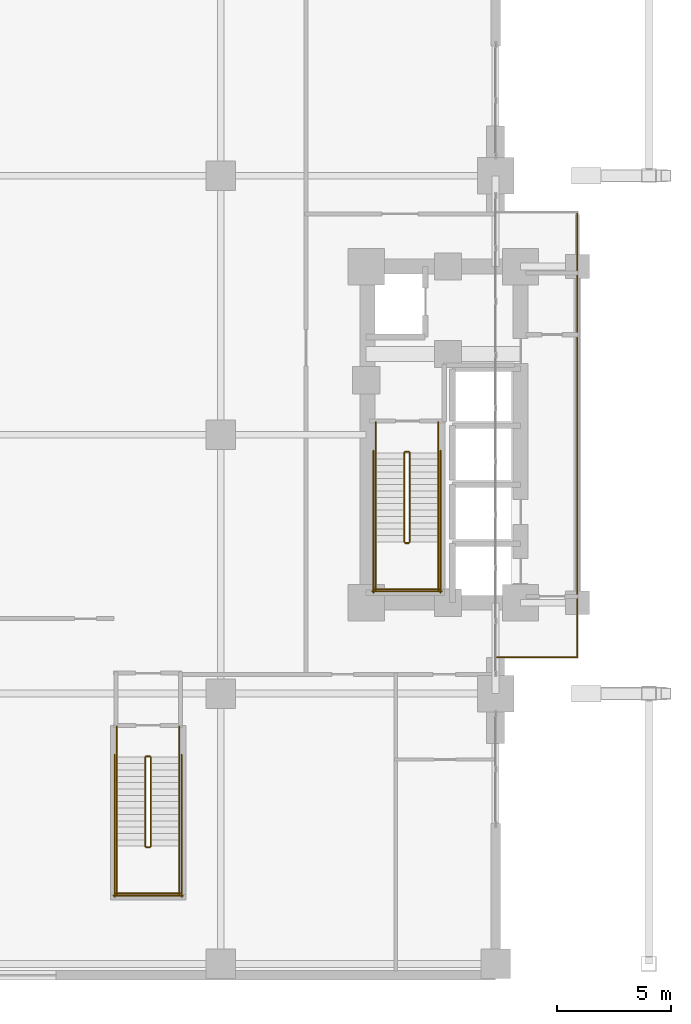
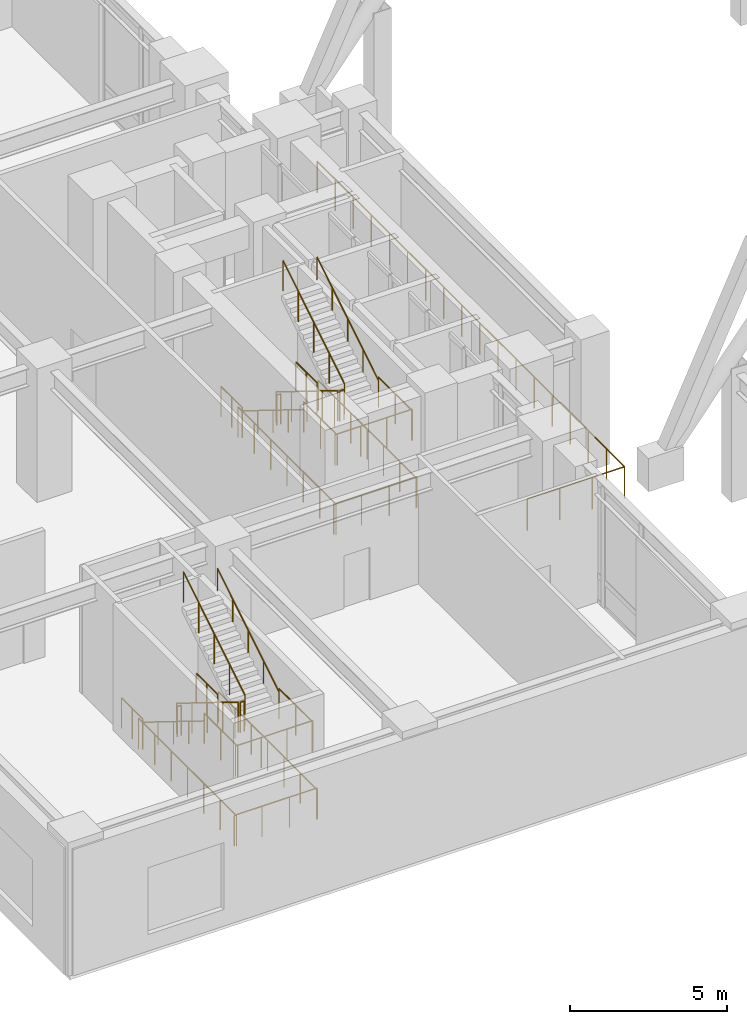
# One storey, part 23 of 26: 30 railings.
"""IFC4 building model written with IfcOpenShell, lengths in metres."""

from ifc_helpers import new_model, si_unit, direction, frame, origin, origin_2d, place, context, subcontext, project, spatial, circle, extrude, material, type_object, element, save


model = new_model("IFC4")

# Units and contexts
model_context = context("Model", 3, precision=1e-05, world=origin(), true_north=direction((0.0, 1.0)))
body_context = subcontext(model_context, "Body", "Model", "MODEL_VIEW")
ifc_project = project(units=[si_unit("LENGTHUNIT", "METRE"), si_unit("AREAUNIT", "SQUARE_METRE"), si_unit("VOLUMEUNIT", "CUBIC_METRE"), si_unit("PLANEANGLEUNIT", "RADIAN"), si_unit("MASSUNIT", "GRAM", prefix="KILO")], contexts=[model_context])

# Site, building, storey
site_placement = place(None, origin())
site = spatial("IfcSite", under=ifc_project, at=site_placement, CompositionType="ELEMENT")
building_placement = place(site_placement, origin())
building = spatial("IfcBuilding", under=site, at=building_placement, Name="Voryun Gate Residences", CompositionType="ELEMENT")
storey_placement = place(building_placement, frame((0.0, 0.0, 10.39990234375)))
storey = spatial("IfcBuildingStorey", under=building, at=storey_placement, Name="L02", CompositionType="ELEMENT", Elevation=10.39990234375)

# Railings
ifc_material_1 = material(Name="Painted steel", Category="steel")
railing_type_1 = type_object("IfcRailingType", Name="RAIL_STAIR_GUARD_1200", PredefinedType="GUARDRAIL", material=ifc_material_1)
railing_1_placement = place(storey_placement, frame((-17.52490234375, -0.800048828125, 0.17333984375)))
element("IfcRailing", 1, at=railing_1_placement, inside=storey, type_object=railing_type_1, Name="L02 ST-W1 stair guard 1", PredefinedType="GUARDRAIL", context=body_context, shape_type="SweptSolid", body=[
    extrude(circle(Radius=0.02392578125, at=origin_2d()), frame((0.0, 0.0, 1.17578125), z_axis=(0.0, -0.850251603719, 0.526376491091), x_axis=(1.0, 0.0, 0.0)), (0.0, 0.0, 1.0), 4.6103515625),
    extrude(circle(Radius=0.02099609375, at=origin_2d()), origin(), (0.0, 0.0, 1.0), 1.15185546875),
    extrude(circle(Radius=0.02099609375, at=origin_2d()), frame((0.0, -0.97998046875, 0.606689453125)), (0.0, 0.0, 1.0), 1.15185546875),
    extrude(circle(Radius=0.02099609375, at=origin_2d()), frame((0.0, -1.9599609375, 1.21337890625)), (0.0, 0.0, 1.0), 1.15185546875),
    extrude(circle(Radius=0.02099609375, at=origin_2d()), frame((0.0, -2.93994140625, 1.820068359375)), (0.0, 0.0, 1.0), 1.15185546875),
    extrude(circle(Radius=0.02099609375, at=origin_2d()), frame((0.0, -3.919921875, 2.4267578125)), (0.0, 0.0, 1.0), 1.15185546875),
])
railing_2_placement = place(storey_placement, frame((-17.47509765625, -4.77001953125, 2.60009765625)))
element("IfcRailing", 2, at=railing_2_placement, inside=storey, type_object=railing_type_1, Name="L02 ST-W1 stair guard 2", PredefinedType="GUARDRAIL", context=body_context, shape_type="SweptSolid", body=[
    extrude(circle(Radius=0.02392578125, at=origin_2d()), frame((0.0, 0.0, 1.17578125), z_axis=(1.0, 0.0, 0.0), x_axis=(0.0, 1.0, 0.0)), (0.0, 0.0, 1.0), 0.150146484375),
    extrude(circle(Radius=0.02099609375, at=origin_2d()), origin(), (0.0, 0.0, 1.0), 1.15185546875),
    extrude(circle(Radius=0.02099609375, at=origin_2d()), frame((0.150146484375, 0.0, 0.0)), (0.0, 0.0, 1.0), 1.15185546875),
])
for number, where, name in (
    (3, (-18.77490234375, -4.719970703125, 2.60009765625), "L02 ST-W1 stair guard 3"),
    (4, (-16.02490234375, -4.719970703125, 2.60009765625), "L02 ST-W1 stair guard 4"),
):
    element("IfcRailing", number, at=place(storey_placement, frame(where)), inside=storey, type_object=railing_type_1, Name=name, PredefinedType="GUARDRAIL", context=body_context, shape_type="SweptSolid", body=[
        extrude(circle(Radius=0.02392578125, at=origin_2d()), frame((0.0, 0.0, 1.17578125), z_axis=(0.0, -1.0, 0.0), x_axis=(1.0, 0.0, 0.0)), (0.0, 0.0, 1.0), 2.130126953125),
        extrude(circle(Radius=0.02099609375, at=origin_2d()), origin(), (0.0, 0.0, 1.0), 1.15185546875),
        extrude(circle(Radius=0.02099609375, at=origin_2d()), frame((0.0, -1.06494140625, 0.0)), (0.0, 0.0, 1.0), 1.15185546875),
        extrude(circle(Radius=0.02099609375, at=origin_2d()), frame((0.0, -2.130126953125, 0.0)), (0.0, 0.0, 1.0), 1.15185546875),
    ])
railing_3_placement = place(storey_placement, frame((-18.824951171875, -6.800048828125, 2.60009765625)))
element("IfcRailing", 5, at=railing_3_placement, inside=storey, type_object=railing_type_1, Name="L02 ST-W1 stair guard 5", PredefinedType="GUARDRAIL", context=body_context, shape_type="SweptSolid", body=[
    extrude(circle(Radius=0.02392578125, at=origin_2d()), frame((0.0, 0.0, 1.17578125), z_axis=(1.0, 0.0, 0.0), x_axis=(0.0, 1.0, 0.0)), (0.0, 0.0, 1.0), 2.849853515625),
    extrude(circle(Radius=0.02099609375, at=origin_2d()), origin(), (0.0, 0.0, 1.0), 1.15185546875),
    extrude(circle(Radius=0.02099609375, at=origin_2d()), frame((0.949951171875, 0.0, 0.0)), (0.0, 0.0, 1.0), 1.15185546875),
    extrude(circle(Radius=0.02099609375, at=origin_2d()), frame((1.89990234375, 0.0, 0.0)), (0.0, 0.0, 1.0), 1.15185546875),
    extrude(circle(Radius=0.02099609375, at=origin_2d()), frame((2.849853515625, 0.0, 0.0)), (0.0, 0.0, 1.0), 1.15185546875),
])
railing_4_placement = place(storey_placement, frame((-17.27490234375, -4.719970703125, 2.7734375)))
element("IfcRailing", 6, at=railing_4_placement, inside=storey, type_object=railing_type_1, Name="L02 ST-W1 stair guard 6", PredefinedType="GUARDRAIL", context=body_context, shape_type="SweptSolid", body=[
    extrude(circle(Radius=0.02392578125, at=origin_2d()), frame((0.0, 0.0, 1.17578125), z_axis=(0.0, 0.850251603719, 0.526376491091), x_axis=(-1.0, 0.0, 0.0)), (0.0, 0.0, 1.0), 4.6103515625),
    extrude(circle(Radius=0.02099609375, at=origin_2d()), origin(), (0.0, 0.0, 1.0), 1.15185546875),
    extrude(circle(Radius=0.02099609375, at=origin_2d()), frame((0.0, 0.97998046875, 0.606689453125)), (0.0, 0.0, 1.0), 1.15185546875),
    extrude(circle(Radius=0.02099609375, at=origin_2d()), frame((0.0, 1.9599609375, 1.21337890625)), (0.0, 0.0, 1.0), 1.15185546875),
    extrude(circle(Radius=0.02099609375, at=origin_2d()), frame((0.0, 2.93994140625, 1.820068359375)), (0.0, 0.0, 1.0), 1.15185546875),
    extrude(circle(Radius=0.02099609375, at=origin_2d()), frame((0.0, 3.919921875, 2.4267578125)), (0.0, 0.0, 1.0), 1.15185546875),
])
railing_5_placement = place(storey_placement, frame((-17.47509765625, -0.75, 0.0)))
element("IfcRailing", 7, at=railing_5_placement, inside=storey, type_object=railing_type_1, Name="L02 ST-W1 stair guard 7", PredefinedType="GUARDRAIL", context=body_context, shape_type="SweptSolid", body=[
    extrude(circle(Radius=0.02392578125, at=origin_2d()), frame((0.0, 0.0, 1.17578125), z_axis=(1.0, 0.0, 0.0), x_axis=(0.0, 1.0, 0.0)), (0.0, 0.0, 1.0), 0.150146484375),
    extrude(circle(Radius=0.02099609375, at=origin_2d()), origin(), (0.0, 0.0, 1.0), 1.15185546875),
    extrude(circle(Radius=0.02099609375, at=origin_2d()), frame((0.150146484375, 0.0, 0.0)), (0.0, 0.0, 1.0), 1.15185546875),
])
for number, where, name in (
    (8, (-18.77490234375, 0.550048828125, 0.0), "L02 ST-W1 stair guard 8"),
    (9, (-16.02490234375, 0.550048828125, 0.0), "L02 ST-W1 stair guard 9"),
):
    element("IfcRailing", number, at=place(storey_placement, frame(where)), inside=storey, type_object=railing_type_1, Name=name, PredefinedType="GUARDRAIL", context=body_context, shape_type="SweptSolid", body=[
        extrude(circle(Radius=0.02392578125, at=origin_2d()), frame((0.0, 0.0, 1.17578125), z_axis=(0.0, -1.0, 0.0), x_axis=(1.0, 0.0, 0.0)), (0.0, 0.0, 1.0), 1.35009765625),
        extrude(circle(Radius=0.02099609375, at=origin_2d()), origin(), (0.0, 0.0, 1.0), 1.15185546875),
        extrude(circle(Radius=0.02099609375, at=origin_2d()), frame((0.0, -0.675048828125, 0.0)), (0.0, 0.0, 1.0), 1.15185546875),
        extrude(circle(Radius=0.02099609375, at=origin_2d()), frame((0.0, -1.35009765625, 0.0)), (0.0, 0.0, 1.0), 1.15185546875),
    ])
for number, where, name in (
    (10, (-18.875, -0.699951171875, 0.0), "L02 ST-W1 stair guard 10"),
    (11, (-15.925048828125, -0.699951171875, 0.0), "L02 ST-W1 stair guard 11"),
):
    element("IfcRailing", number, at=place(storey_placement, frame(where)), inside=storey, type_object=railing_type_1, Name=name, PredefinedType="GUARDRAIL", context=body_context, shape_type="SweptSolid", body=[
        extrude(circle(Radius=0.02392578125, at=origin_2d()), frame((0.0, 0.0, 1.17578125), z_axis=(0.0, -1.0, 0.0), x_axis=(1.0, 0.0, 0.0)), (0.0, 0.0, 1.0), 6.25),
        extrude(circle(Radius=0.02099609375, at=origin_2d()), origin(), (0.0, 0.0, 1.0), 1.15185546875),
        extrude(circle(Radius=0.02099609375, at=origin_2d()), frame((0.0, -1.041748046875, 0.0)), (0.0, 0.0, 1.0), 1.15185546875),
        extrude(circle(Radius=0.02099609375, at=origin_2d()), frame((0.0, -2.083251953125, 0.0)), (0.0, 0.0, 1.0), 1.15185546875),
        extrude(circle(Radius=0.02099609375, at=origin_2d()), frame((0.0, -3.125, 0.0)), (0.0, 0.0, 1.0), 1.15185546875),
        extrude(circle(Radius=0.02099609375, at=origin_2d()), frame((0.0, -4.166748046875, 0.0)), (0.0, 0.0, 1.0), 1.15185546875),
        extrude(circle(Radius=0.02099609375, at=origin_2d()), frame((0.0, -5.208251953125, 0.0)), (0.0, 0.0, 1.0), 1.15185546875),
        extrude(circle(Radius=0.02099609375, at=origin_2d()), frame((0.0, -6.25, 0.0)), (0.0, 0.0, 1.0), 1.15185546875),
    ])
railing_6_placement = place(storey_placement, frame((-18.925048828125, -6.89990234375, 0.0)))
element("IfcRailing", 12, at=railing_6_placement, inside=storey, type_object=railing_type_1, Name="L02 ST-W1 stair guard 12", PredefinedType="GUARDRAIL", context=body_context, shape_type="SweptSolid", body=[
    extrude(circle(Radius=0.02392578125, at=origin_2d()), frame((0.0, 0.0, 1.17578125), z_axis=(1.0, 0.0, 0.0), x_axis=(0.0, 1.0, 0.0)), (0.0, 0.0, 1.0), 3.050048828125),
    extrude(circle(Radius=0.02099609375, at=origin_2d()), origin(), (0.0, 0.0, 1.0), 1.15185546875),
    extrude(circle(Radius=0.02099609375, at=origin_2d()), frame((1.0166015625, 0.0, 0.0)), (0.0, 0.0, 1.0), 1.15185546875),
    extrude(circle(Radius=0.02099609375, at=origin_2d()), frame((2.033447265625, 0.0, 0.0)), (0.0, 0.0, 1.0), 1.15185546875),
    extrude(circle(Radius=0.02099609375, at=origin_2d()), frame((3.050048828125, 0.0, 0.0)), (0.0, 0.0, 1.0), 1.15185546875),
])
railing_7_placement = place(storey_placement, frame((-28.925048828125, -14.199951171875, 0.17333984375)))
element("IfcRailing", 13, at=railing_7_placement, inside=storey, type_object=railing_type_1, Name="L02 ST-P1 stair guard 1", PredefinedType="GUARDRAIL", context=body_context, shape_type="SweptSolid", body=[
    extrude(circle(Radius=0.02392578125, at=origin_2d()), frame((0.0, 0.0, 1.17578125), z_axis=(0.0, -0.850266275192, 0.526352791643), x_axis=(1.0, 0.0, 0.0)), (0.0, 0.0, 1.0), 4.610595703125),
    extrude(circle(Radius=0.02099609375, at=origin_2d()), origin(), (0.0, 0.0, 1.0), 1.15185546875),
    extrude(circle(Radius=0.02099609375, at=origin_2d()), frame((0.0, -0.97998046875, 0.606689453125)), (0.0, 0.0, 1.0), 1.15185546875),
    extrude(circle(Radius=0.02099609375, at=origin_2d()), frame((0.0, -1.9599609375, 1.21337890625)), (0.0, 0.0, 1.0), 1.15185546875),
    extrude(circle(Radius=0.02099609375, at=origin_2d()), frame((0.0, -2.940185546875, 1.820068359375)), (0.0, 0.0, 1.0), 1.15185546875),
    extrude(circle(Radius=0.02099609375, at=origin_2d()), frame((0.0, -3.920166015625, 2.4267578125)), (0.0, 0.0, 1.0), 1.15185546875),
])
railing_8_placement = place(storey_placement, frame((-28.875, -18.169921875, 2.60009765625)))
element("IfcRailing", 14, at=railing_8_placement, inside=storey, type_object=railing_type_1, Name="L02 ST-P1 stair guard 2", PredefinedType="GUARDRAIL", context=body_context, shape_type="SweptSolid", body=[
    extrude(circle(Radius=0.02392578125, at=origin_2d()), frame((0.0, 0.0, 1.17578125), z_axis=(1.0, 0.0, 0.0), x_axis=(0.0, 1.0, 0.0)), (0.0, 0.0, 1.0), 0.14990234375),
    extrude(circle(Radius=0.02099609375, at=origin_2d()), origin(), (0.0, 0.0, 1.0), 1.15185546875),
    extrude(circle(Radius=0.02099609375, at=origin_2d()), frame((0.14990234375, 0.0, 0.0)), (0.0, 0.0, 1.0), 1.15185546875),
])
for number, where, name in (
    (15, (-30.175048828125, -18.1201171875, 2.60009765625), "L02 ST-P1 stair guard 3"),
    (16, (-27.425048828125, -18.1201171875, 2.60009765625), "L02 ST-P1 stair guard 4"),
):
    element("IfcRailing", number, at=place(storey_placement, frame(where)), inside=storey, type_object=railing_type_1, Name=name, PredefinedType="GUARDRAIL", context=body_context, shape_type="SweptSolid", body=[
        extrude(circle(Radius=0.02392578125, at=origin_2d()), frame((0.0, 0.0, 1.17578125), z_axis=(0.0, -1.0, 0.0), x_axis=(1.0, 0.0, 0.0)), (0.0, 0.0, 1.0), 2.1298828125),
        extrude(circle(Radius=0.02099609375, at=origin_2d()), origin(), (0.0, 0.0, 1.0), 1.15185546875),
        extrude(circle(Radius=0.02099609375, at=origin_2d()), frame((0.0, -1.06494140625, 0.0)), (0.0, 0.0, 1.0), 1.15185546875),
        extrude(circle(Radius=0.02099609375, at=origin_2d()), frame((0.0, -2.1298828125, 0.0)), (0.0, 0.0, 1.0), 1.15185546875),
    ])
railing_9_placement = place(storey_placement, frame((-30.22509765625, -20.199951171875, 2.60009765625)))
element("IfcRailing", 17, at=railing_9_placement, inside=storey, type_object=railing_type_1, Name="L02 ST-P1 stair guard 5", PredefinedType="GUARDRAIL", context=body_context, shape_type="SweptSolid", body=[
    extrude(circle(Radius=0.02392578125, at=origin_2d()), frame((0.0, 0.0, 1.17578125), z_axis=(1.0, 0.0, 0.0), x_axis=(0.0, 1.0, 0.0)), (0.0, 0.0, 1.0), 2.85009765625),
    extrude(circle(Radius=0.02099609375, at=origin_2d()), origin(), (0.0, 0.0, 1.0), 1.15185546875),
    extrude(circle(Radius=0.02099609375, at=origin_2d()), frame((0.949951171875, 0.0, 0.0)), (0.0, 0.0, 1.0), 1.15185546875),
    extrude(circle(Radius=0.02099609375, at=origin_2d()), frame((1.900146484375, 0.0, 0.0)), (0.0, 0.0, 1.0), 1.15185546875),
    extrude(circle(Radius=0.02099609375, at=origin_2d()), frame((2.85009765625, 0.0, 0.0)), (0.0, 0.0, 1.0), 1.15185546875),
])
railing_10_placement = place(storey_placement, frame((-28.675048828125, -18.1201171875, 2.7734375)))
element("IfcRailing", 18, at=railing_10_placement, inside=storey, type_object=railing_type_1, Name="L02 ST-P1 stair guard 6", PredefinedType="GUARDRAIL", context=body_context, shape_type="SweptSolid", body=[
    extrude(circle(Radius=0.02392578125, at=origin_2d()), frame((0.0, 0.0, 1.17578125), z_axis=(0.0, 0.850266275192, 0.526352791643), x_axis=(-1.0, 0.0, 0.0)), (0.0, 0.0, 1.0), 4.610595703125),
    extrude(circle(Radius=0.02099609375, at=origin_2d()), origin(), (0.0, 0.0, 1.0), 1.15185546875),
    extrude(circle(Radius=0.02099609375, at=origin_2d()), frame((0.0, 0.97998046875, 0.606689453125)), (0.0, 0.0, 1.0), 1.15185546875),
    extrude(circle(Radius=0.02099609375, at=origin_2d()), frame((0.0, 1.9599609375, 1.21337890625)), (0.0, 0.0, 1.0), 1.15185546875),
    extrude(circle(Radius=0.02099609375, at=origin_2d()), frame((0.0, 2.940185546875, 1.820068359375)), (0.0, 0.0, 1.0), 1.15185546875),
    extrude(circle(Radius=0.02099609375, at=origin_2d()), frame((0.0, 3.920166015625, 2.4267578125)), (0.0, 0.0, 1.0), 1.15185546875),
])
railing_11_placement = place(storey_placement, frame((-28.875, -14.14990234375, 0.0)))
element("IfcRailing", 19, at=railing_11_placement, inside=storey, type_object=railing_type_1, Name="L02 ST-P1 stair guard 7", PredefinedType="GUARDRAIL", context=body_context, shape_type="SweptSolid", body=[
    extrude(circle(Radius=0.02392578125, at=origin_2d()), frame((0.0, 0.0, 1.17578125), z_axis=(1.0, 0.0, 0.0), x_axis=(0.0, 1.0, 0.0)), (0.0, 0.0, 1.0), 0.14990234375),
    extrude(circle(Radius=0.02099609375, at=origin_2d()), origin(), (0.0, 0.0, 1.0), 1.15185546875),
    extrude(circle(Radius=0.02099609375, at=origin_2d()), frame((0.14990234375, 0.0, 0.0)), (0.0, 0.0, 1.0), 1.15185546875),
])
for number, where, name in (
    (20, (-30.175048828125, -12.85009765625, 0.0), "L02 ST-P1 stair guard 8"),
    (21, (-27.425048828125, -12.85009765625, 0.0), "L02 ST-P1 stair guard 9"),
):
    element("IfcRailing", number, at=place(storey_placement, frame(where)), inside=storey, type_object=railing_type_1, Name=name, PredefinedType="GUARDRAIL", context=body_context, shape_type="SweptSolid", body=[
        extrude(circle(Radius=0.02392578125, at=origin_2d()), frame((0.0, 0.0, 1.17578125), z_axis=(0.0, -1.0, 0.0), x_axis=(1.0, 0.0, 0.0)), (0.0, 0.0, 1.0), 1.349853515625),
        extrude(circle(Radius=0.02099609375, at=origin_2d()), origin(), (0.0, 0.0, 1.0), 1.15185546875),
        extrude(circle(Radius=0.02099609375, at=origin_2d()), frame((0.0, -0.6748046875, 0.0)), (0.0, 0.0, 1.0), 1.15185546875),
        extrude(circle(Radius=0.02099609375, at=origin_2d()), frame((0.0, -1.349853515625, 0.0)), (0.0, 0.0, 1.0), 1.15185546875),
    ])
for number, where, name in (
    (22, (-30.27490234375, -14.10009765625, 0.0), "L02 ST-P1 stair guard 10"),
    (23, (-27.324951171875, -14.10009765625, 0.0), "L02 ST-P1 stair guard 11"),
):
    element("IfcRailing", number, at=place(storey_placement, frame(where)), inside=storey, type_object=railing_type_1, Name=name, PredefinedType="GUARDRAIL", context=body_context, shape_type="SweptSolid", body=[
        extrude(circle(Radius=0.02392578125, at=origin_2d()), frame((0.0, 0.0, 1.17578125), z_axis=(0.0, -1.0, 0.0), x_axis=(1.0, 0.0, 0.0)), (0.0, 0.0, 1.0), 6.25),
        extrude(circle(Radius=0.02099609375, at=origin_2d()), origin(), (0.0, 0.0, 1.0), 1.15185546875),
        extrude(circle(Radius=0.02099609375, at=origin_2d()), frame((0.0, -1.041748046875, 0.0)), (0.0, 0.0, 1.0), 1.15185546875),
        extrude(circle(Radius=0.02099609375, at=origin_2d()), frame((0.0, -2.083251953125, 0.0)), (0.0, 0.0, 1.0), 1.15185546875),
        extrude(circle(Radius=0.02099609375, at=origin_2d()), frame((0.0, -3.125, 0.0)), (0.0, 0.0, 1.0), 1.15185546875),
        extrude(circle(Radius=0.02099609375, at=origin_2d()), frame((0.0, -4.166748046875, 0.0)), (0.0, 0.0, 1.0), 1.15185546875),
        extrude(circle(Radius=0.02099609375, at=origin_2d()), frame((0.0, -5.208251953125, 0.0)), (0.0, 0.0, 1.0), 1.15185546875),
        extrude(circle(Radius=0.02099609375, at=origin_2d()), frame((0.0, -6.25, 0.0)), (0.0, 0.0, 1.0), 1.15185546875),
    ])
railing_12_placement = place(storey_placement, frame((-30.324951171875, -20.300048828125, 0.0)))
element("IfcRailing", 24, at=railing_12_placement, inside=storey, type_object=railing_type_1, Name="L02 ST-P1 stair guard 12", PredefinedType="GUARDRAIL", context=body_context, shape_type="SweptSolid", body=[
    extrude(circle(Radius=0.02392578125, at=origin_2d()), frame((0.0, 0.0, 1.17578125), z_axis=(1.0, 0.0, 0.0), x_axis=(0.0, 1.0, 0.0)), (0.0, 0.0, 1.0), 3.050048828125),
    extrude(circle(Radius=0.02099609375, at=origin_2d()), origin(), (0.0, 0.0, 1.0), 1.15185546875),
    extrude(circle(Radius=0.02099609375, at=origin_2d()), frame((1.0166015625, 0.0, 0.0)), (0.0, 0.0, 1.0), 1.15185546875),
    extrude(circle(Radius=0.02099609375, at=origin_2d()), frame((2.033447265625, 0.0, 0.0)), (0.0, 0.0, 1.0), 1.15185546875),
    extrude(circle(Radius=0.02099609375, at=origin_2d()), frame((3.050048828125, 0.0, 0.0)), (0.0, 0.0, 1.0), 1.15185546875),
])
ifc_material_2 = material(Name="Painted steel", Category="steel")
railing_type_2 = type_object("IfcRailingType", Name="RAIL_STAIR_HANDRAIL_900", PredefinedType="HANDRAIL", material=ifc_material_2)
railing_13_placement = place(storey_placement, frame((-18.77490234375, -0.800048828125, 0.17333984375)))
element("IfcRailing", 25, at=railing_13_placement, inside=storey, type_object=railing_type_2, Name="L02 ST-W1 stair handrail 1", PredefinedType="HANDRAIL", context=body_context, shape_type="SweptSolid", body=[
    extrude(circle(Radius=0.02392578125, at=origin_2d()), frame((0.0, 0.0, 0.8759765625), z_axis=(0.0, -0.850251603719, 0.526376491091), x_axis=(1.0, 0.0, 0.0)), (0.0, 0.0, 1.0), 4.6103515625),
    extrude(circle(Radius=0.02099609375, at=origin_2d()), origin(), (0.0, 0.0, 1.0), 0.851806640625),
    extrude(circle(Radius=0.02099609375, at=origin_2d()), frame((0.0, -0.97998046875, 0.606689453125)), (0.0, 0.0, 1.0), 0.851806640625),
    extrude(circle(Radius=0.02099609375, at=origin_2d()), frame((0.0, -1.9599609375, 1.21337890625)), (0.0, 0.0, 1.0), 0.851806640625),
    extrude(circle(Radius=0.02099609375, at=origin_2d()), frame((0.0, -2.93994140625, 1.820068359375)), (0.0, 0.0, 1.0), 0.851806640625),
    extrude(circle(Radius=0.02099609375, at=origin_2d()), frame((0.0, -3.919921875, 2.4267578125)), (0.0, 0.0, 1.0), 0.851806640625),
])
railing_14_placement = place(storey_placement, frame((-16.02490234375, -4.719970703125, 2.7734375)))
element("IfcRailing", 26, at=railing_14_placement, inside=storey, type_object=railing_type_2, Name="L02 ST-W1 stair handrail 2", PredefinedType="HANDRAIL", context=body_context, shape_type="SweptSolid", body=[
    extrude(circle(Radius=0.02392578125, at=origin_2d()), frame((0.0, 0.0, 0.8759765625), z_axis=(0.0, 0.850251603719, 0.526376491091), x_axis=(-1.0, 0.0, 0.0)), (0.0, 0.0, 1.0), 4.6103515625),
    extrude(circle(Radius=0.02099609375, at=origin_2d()), origin(), (0.0, 0.0, 1.0), 0.851806640625),
    extrude(circle(Radius=0.02099609375, at=origin_2d()), frame((0.0, 0.97998046875, 0.606689453125)), (0.0, 0.0, 1.0), 0.851806640625),
    extrude(circle(Radius=0.02099609375, at=origin_2d()), frame((0.0, 1.9599609375, 1.21337890625)), (0.0, 0.0, 1.0), 0.851806640625),
    extrude(circle(Radius=0.02099609375, at=origin_2d()), frame((0.0, 2.93994140625, 1.820068359375)), (0.0, 0.0, 1.0), 0.851806640625),
    extrude(circle(Radius=0.02099609375, at=origin_2d()), frame((0.0, 3.919921875, 2.4267578125)), (0.0, 0.0, 1.0), 0.851806640625),
])
railing_15_placement = place(storey_placement, frame((-30.175048828125, -14.199951171875, 0.17333984375)))
element("IfcRailing", 27, at=railing_15_placement, inside=storey, type_object=railing_type_2, Name="L02 ST-P1 stair handrail 1", PredefinedType="HANDRAIL", context=body_context, shape_type="SweptSolid", body=[
    extrude(circle(Radius=0.02392578125, at=origin_2d()), frame((0.0, 0.0, 0.8759765625), z_axis=(0.0, -0.850266275192, 0.526352791643), x_axis=(1.0, 0.0, 0.0)), (0.0, 0.0, 1.0), 4.610595703125),
    extrude(circle(Radius=0.02099609375, at=origin_2d()), origin(), (0.0, 0.0, 1.0), 0.851806640625),
    extrude(circle(Radius=0.02099609375, at=origin_2d()), frame((0.0, -0.97998046875, 0.606689453125)), (0.0, 0.0, 1.0), 0.851806640625),
    extrude(circle(Radius=0.02099609375, at=origin_2d()), frame((0.0, -1.9599609375, 1.21337890625)), (0.0, 0.0, 1.0), 0.851806640625),
    extrude(circle(Radius=0.02099609375, at=origin_2d()), frame((0.0, -2.940185546875, 1.820068359375)), (0.0, 0.0, 1.0), 0.851806640625),
    extrude(circle(Radius=0.02099609375, at=origin_2d()), frame((0.0, -3.920166015625, 2.4267578125)), (0.0, 0.0, 1.0), 0.851806640625),
])
railing_16_placement = place(storey_placement, frame((-27.425048828125, -18.1201171875, 2.7734375)))
element("IfcRailing", 28, at=railing_16_placement, inside=storey, type_object=railing_type_2, Name="L02 ST-P1 stair handrail 2", PredefinedType="HANDRAIL", context=body_context, shape_type="SweptSolid", body=[
    extrude(circle(Radius=0.02392578125, at=origin_2d()), frame((0.0, 0.0, 0.8759765625), z_axis=(0.0, 0.850266275192, 0.526352791643), x_axis=(-1.0, 0.0, 0.0)), (0.0, 0.0, 1.0), 4.610595703125),
    extrude(circle(Radius=0.02099609375, at=origin_2d()), origin(), (0.0, 0.0, 1.0), 0.851806640625),
    extrude(circle(Radius=0.02099609375, at=origin_2d()), frame((0.0, 0.97998046875, 0.606689453125)), (0.0, 0.0, 1.0), 0.851806640625),
    extrude(circle(Radius=0.02099609375, at=origin_2d()), frame((0.0, 1.9599609375, 1.21337890625)), (0.0, 0.0, 1.0), 0.851806640625),
    extrude(circle(Radius=0.02099609375, at=origin_2d()), frame((0.0, 2.940185546875, 1.820068359375)), (0.0, 0.0, 1.0), 0.851806640625),
    extrude(circle(Radius=0.02099609375, at=origin_2d()), frame((0.0, 3.920166015625, 2.4267578125)), (0.0, 0.0, 1.0), 0.851806640625),
])
ifc_material_3 = material(Name="Anodised aluminium", Category="aluminium")
railing_type_3 = type_object("IfcRailingType", Name="RAIL_TERRACE_GUARD_1250", PredefinedType="GUARDRAIL", material=ifc_material_3)
railing_17_placement = place(storey_placement, frame((-13.47998046875, -9.800048828125, 0.0)))
element("IfcRailing", 29, at=railing_17_placement, inside=storey, type_object=railing_type_3, Name="Terrace guard RL-L02-ARCH-W-01", PredefinedType="GUARDRAIL", context=body_context, shape_type="SweptSolid", body=[
    extrude(circle(Radius=0.02392578125, at=origin_2d()), frame((0.0, 0.0, 1.22607421875), z_axis=(1.0, 0.0, 0.0), x_axis=(0.0, 1.0, 0.0)), (0.0, 0.0, 1.0), 3.580078125),
    extrude(circle(Radius=0.02099609375, at=origin_2d()), origin(), (0.0, 0.0, 1.0), 1.201904296875),
    extrude(circle(Radius=0.02099609375, at=origin_2d()), frame((1.193359375, 0.0, 0.0)), (0.0, 0.0, 1.0), 1.201904296875),
    extrude(circle(Radius=0.02099609375, at=origin_2d()), frame((2.38671875, 0.0, 0.0)), (0.0, 0.0, 1.0), 1.201904296875),
    extrude(circle(Radius=0.02099609375, at=origin_2d()), frame((3.580078125, 0.0, 0.0)), (0.0, 0.0, 1.0), 1.201904296875),
])
railing_18_placement = place(storey_placement, frame((-9.89990234375, -9.800048828125, 0.0)))
element("IfcRailing", 30, at=railing_18_placement, inside=storey, type_object=railing_type_3, Name="Terrace guard RL-L02-ARCH-W-02", PredefinedType="GUARDRAIL", context=body_context, shape_type="SweptSolid", body=[
    extrude(circle(Radius=0.02392578125, at=origin_2d()), frame((0.0, 0.0, 1.22607421875), z_axis=(0.0, 1.0, 0.0), x_axis=(-1.0, 0.0, 0.0)), (0.0, 0.0, 1.0), 19.60009765625),
    extrude(circle(Radius=0.02099609375, at=origin_2d()), origin(), (0.0, 0.0, 1.0), 1.201904296875),
    extrude(circle(Radius=0.02099609375, at=origin_2d()), frame((0.0, 1.15283203125, 0.0)), (0.0, 0.0, 1.0), 1.201904296875),
    extrude(circle(Radius=0.02099609375, at=origin_2d()), frame((0.0, 2.305908203125, 0.0)), (0.0, 0.0, 1.0), 1.201904296875),
    extrude(circle(Radius=0.02099609375, at=origin_2d()), frame((0.0, 3.458740234375, 0.0)), (0.0, 0.0, 1.0), 1.201904296875),
    extrude(circle(Radius=0.02099609375, at=origin_2d()), frame((0.0, 4.61181640625, 0.0)), (0.0, 0.0, 1.0), 1.201904296875),
    extrude(circle(Radius=0.02099609375, at=origin_2d()), frame((0.0, 5.7646484375, 0.0)), (0.0, 0.0, 1.0), 1.201904296875),
    extrude(circle(Radius=0.02099609375, at=origin_2d()), frame((0.0, 6.917724609375, 0.0)), (0.0, 0.0, 1.0), 1.201904296875),
    extrude(circle(Radius=0.02099609375, at=origin_2d()), frame((0.0, 8.070556640625, 0.0)), (0.0, 0.0, 1.0), 1.201904296875),
    extrude(circle(Radius=0.02099609375, at=origin_2d()), frame((0.0, 9.2236328125, 0.0)), (0.0, 0.0, 1.0), 1.201904296875),
    extrude(circle(Radius=0.02099609375, at=origin_2d()), frame((0.0, 10.37646484375, 0.0)), (0.0, 0.0, 1.0), 1.201904296875),
    extrude(circle(Radius=0.02099609375, at=origin_2d()), frame((0.0, 11.529541015625, 0.0)), (0.0, 0.0, 1.0), 1.201904296875),
    extrude(circle(Radius=0.02099609375, at=origin_2d()), frame((0.0, 12.682373046875, 0.0)), (0.0, 0.0, 1.0), 1.201904296875),
    extrude(circle(Radius=0.02099609375, at=origin_2d()), frame((0.0, 13.83544921875, 0.0)), (0.0, 0.0, 1.0), 1.201904296875),
    extrude(circle(Radius=0.02099609375, at=origin_2d()), frame((0.0, 14.98828125, 0.0)), (0.0, 0.0, 1.0), 1.201904296875),
    extrude(circle(Radius=0.02099609375, at=origin_2d()), frame((0.0, 16.141357421875, 0.0)), (0.0, 0.0, 1.0), 1.201904296875),
    extrude(circle(Radius=0.02099609375, at=origin_2d()), frame((0.0, 17.294189453125, 0.0)), (0.0, 0.0, 1.0), 1.201904296875),
    extrude(circle(Radius=0.02099609375, at=origin_2d()), frame((0.0, 18.447265625, 0.0)), (0.0, 0.0, 1.0), 1.201904296875),
    extrude(circle(Radius=0.02099609375, at=origin_2d()), frame((0.0, 19.60009765625, 0.0)), (0.0, 0.0, 1.0), 1.201904296875),
])

save(model, "model.ifc")
